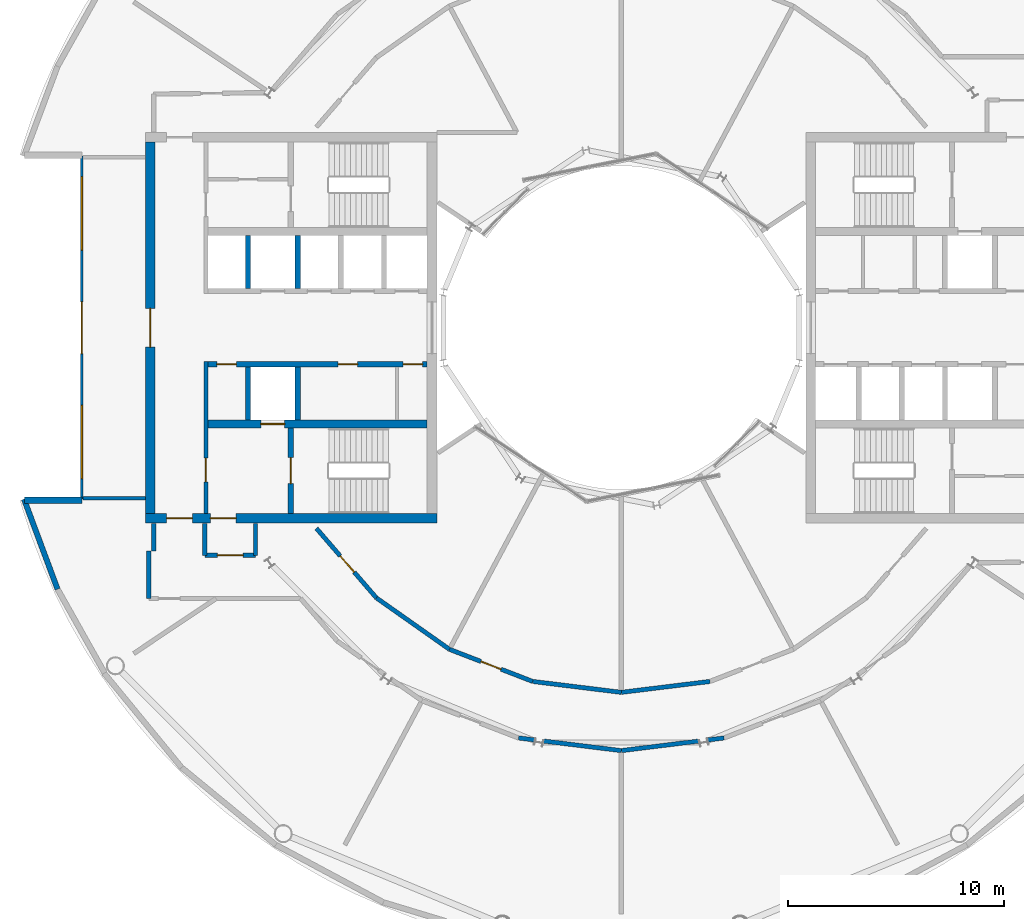
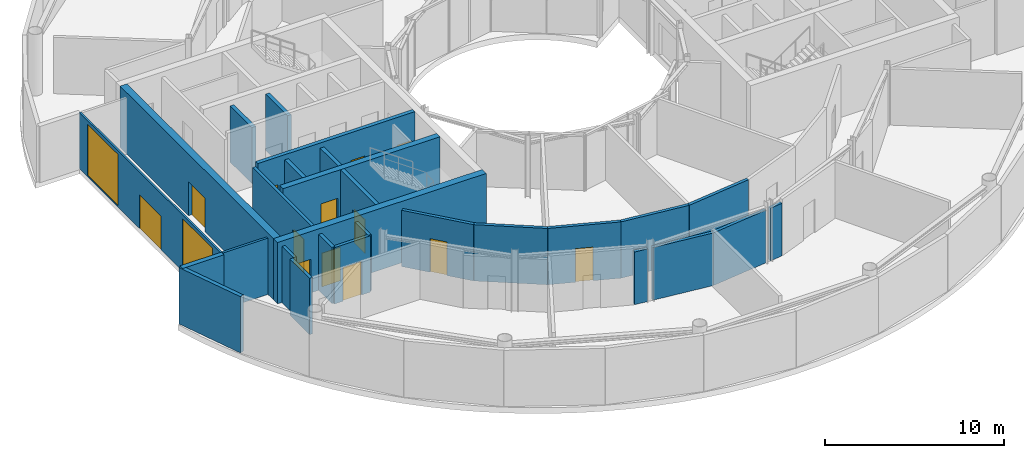
# One storey, part 12 of 19: 28 walls, 13 doors, 2 windows, 15 openings.
"""IFC4 building model written with IfcOpenShell, lengths in metres."""

from ifc_helpers import new_model, si_unit, direction, frame, frame_2d, origin, place, context, subcontext, project, spatial, rectangle, extrude, material, layer, layer_set, type_object, element, fill, save


model = new_model("IFC4")

# Units and contexts
model_context = context("Model", 3, precision=1e-05, world=origin(), true_north=direction((0.0, 1.0)))
body_context = subcontext(model_context, "Body", "Model", "MODEL_VIEW")
ifc_project = project(units=[si_unit("LENGTHUNIT", "METRE"), si_unit("AREAUNIT", "SQUARE_METRE"), si_unit("VOLUMEUNIT", "CUBIC_METRE"), si_unit("PLANEANGLEUNIT", "RADIAN"), si_unit("MASSUNIT", "GRAM", prefix="KILO")], contexts=[model_context])

# Site, building, storey
site_placement = place(None, origin())
site = spatial("IfcSite", under=ifc_project, at=site_placement, CompositionType="ELEMENT")
building_placement = place(site_placement, origin())
building = spatial("IfcBuilding", under=site, at=building_placement, Name="Maasbend Ring Residences", CompositionType="ELEMENT")
storey_placement = place(building_placement, frame((0.0, 0.0, 186.0)))
storey = spatial("IfcBuildingStorey", under=building, at=storey_placement, Name="L53", CompositionType="ELEMENT", Elevation=186.0)

# Walls
ifc_material_1 = material(Name="Concrete C30/37", Category="concrete")
ifc_layer_1 = layer(ifc_material_1, 0.199951171875)
ifc_layer_set_1 = layer_set([ifc_layer_1], Name="Concrete C30/37")
wall_type_1 = type_object("IfcWallType", Name="COMPARTMENT WALL 200 CONCRETE", PredefinedType="PARTITIONING", material=ifc_layer_set_1)
wall_1_placement = place(storey_placement, frame((-4.761962890625, -19.012939453125, 0.0), z_axis=(0.0, 0.0, 1.0), x_axis=(0.992392935119, -0.123110772587, 0.0)))
element("IfcWall", 1, at=wall_1_placement, inside=storey, type_object=wall_type_1, Name="U-L53-w008", PredefinedType="PARTITIONING", context=body_context, shape_type="SweptSolid", body=[
    extrude(rectangle(XDim=0.81298828125, YDim=0.199951171875, at=frame_2d((0.406494140625, 0.0))), origin(), (0.0, 0.0, 1.0), 3.60009765625),
])
for number, where, z_axis, x_axis, name in (
    (2, (-3.656005859375, -19.14892578125, 0.0), (0.0, 0.0, 1.0), (0.992471400802, -0.122476604253, 0.0), "U-L53-w009"),
    (3, (0.0, -19.60009765625, 0.0), (0.0, 0.0, 1.0), (0.992471400802, 0.122476604253, 0.0), "U-L53-w010"),
):
    element("IfcWall", number, at=place(storey_placement, frame(where, z_axis=z_axis, x_axis=x_axis)), inside=storey, type_object=wall_type_1, Name=name, PredefinedType="PARTITIONING", context=body_context, shape_type="SweptSolid", body=[
        extrude(rectangle(XDim=3.683837890625, YDim=0.199951171875, at=frame_2d((1.841796875, 0.0))), origin(), (0.0, 0.0, 1.0), 3.60009765625),
    ])
wall_2_placement = place(storey_placement, frame((3.955078125, -19.113037109375, 0.0), z_axis=(0.0, 0.0, 1.0), x_axis=(0.992392935119, 0.123110772587, 0.0)))
element("IfcWall", 4, at=wall_2_placement, inside=storey, type_object=wall_type_1, Name="U-L53-w011", PredefinedType="PARTITIONING", context=body_context, shape_type="SweptSolid", body=[
    extrude(rectangle(XDim=0.81298828125, YDim=0.199951171875, at=frame_2d((0.406494140625, 0.0))), origin(), (0.0, 0.0, 1.0), 3.60009765625),
])

# Wall, opening, door
wall_3_placement = place(storey_placement, frame((-14.12890625, -9.300048828125, 0.0), z_axis=(0.0, 0.0, 1.0), x_axis=(0.65324486504, -0.757146713853, 0.0)))
wall_3 = element("IfcWall", 5, at=wall_3_placement, inside=storey, type_object=wall_type_1, Name="U-L53-w018", PredefinedType="PARTITIONING", context=body_context, shape_type="SweptSolid", body=[
    extrude(rectangle(XDim=4.25537109375, YDim=0.199951171875, at=frame_2d((2.127685546875, 0.0))), origin(), (0.0, 0.0, 1.0), 3.85009765625),
])
opening_1_placement = place(wall_3_placement, frame((1.68701171875, 0.0, 0.0)))
opening_1 = element("IfcOpeningElement", 6, at=opening_1_placement, cuts=wall_3, Name="Opening D-5315", PredefinedType="OPENING", context=body_context, shape_type="SweptSolid", body=[
    extrude(rectangle(XDim=1.0, YDim=2.300048828125, at=frame_2d((0.5, 1.14990234375))), frame((0.0, 0.10986328125, 0.0), z_axis=(0.0, -1.0, 0.0), x_axis=(1.0, 0.0, 0.0)), (0.0, 0.0, 1.0), 0.219970703125),
])
ifc_material_2 = material(Name="Steel, fire-rated, painted", Category="steel")
door_type_1 = type_object("IfcDoorType", Name="PLANT DOOR 1000 X 2300 FIRE-RATED", OperationType="NOTDEFINED", PredefinedType="DOOR", material=ifc_material_2)
door_1_placement = place(opening_1_placement, origin())
door_1 = element("IfcDoor", 7, at=door_1_placement, inside=storey, type_object=door_type_1, Name="D-5315", OperationType="SINGLE_SWING_LEFT", OverallHeight=2.300048828125, OverallWidth=1.0, PredefinedType="DOOR", context=body_context, shape_type="SweptSolid", body=[
    extrude(rectangle(XDim=1.0, YDim=2.300048828125, at=frame_2d((0.5, 1.14990234375))), frame((0.0, 0.02490234375, 0.0), z_axis=(0.0, -1.0, 0.0), x_axis=(1.0, 0.0, 0.0)), (0.0, 0.0, 1.0), 0.050048828125),
])
fill(opening_1, door_1)

# Wall
wall_4_placement = place(storey_placement, frame((-11.34912109375, -12.52197265625, 0.0), z_axis=(0.0, 0.0, 1.0), x_axis=(0.817567680547, -0.575832517079, 0.0)))
element("IfcWall", 8, at=wall_4_placement, inside=storey, type_object=wall_type_1, Name="U-L53-w019", PredefinedType="PARTITIONING", context=body_context, shape_type="SweptSolid", body=[
    extrude(rectangle(XDim=4.13671875, YDim=0.199951171875, at=frame_2d((2.068359375, 0.0))), origin(), (0.0, 0.0, 1.0), 3.85009765625),
])

# Wall, opening, door
wall_5_placement = place(storey_placement, frame((-7.967041015625, -14.904052734375, 0.0), z_axis=(0.0, 0.0, 1.0), x_axis=(0.932943640288, -0.360022449363, 0.0)))
wall_5 = element("IfcWall", 9, at=wall_5_placement, inside=storey, type_object=wall_type_1, Name="U-L53-w020", PredefinedType="PARTITIONING", context=body_context, shape_type="SweptSolid", body=[
    extrude(rectangle(XDim=4.138671875, YDim=0.199951171875, at=frame_2d((2.0693359375, 0.0))), origin(), (0.0, 0.0, 1.0), 3.85009765625),
])
opening_2_placement = place(wall_5_placement, frame((1.569091796875, 0.0, 0.0)))
opening_2 = element("IfcOpeningElement", 10, at=opening_2_placement, cuts=wall_5, Name="Opening D-5316", PredefinedType="OPENING", context=body_context, shape_type="SweptSolid", body=[
    extrude(rectangle(XDim=1.0, YDim=2.300048828125, at=frame_2d((0.5, 1.14990234375))), frame((0.0, 0.10986328125, 0.0), z_axis=(0.0, -1.0, 0.0), x_axis=(1.0, 0.0, 0.0)), (0.0, 0.0, 1.0), 0.219970703125),
])
door_2_placement = place(opening_2_placement, origin())
door_2 = element("IfcDoor", 11, at=door_2_placement, inside=storey, type_object=door_type_1, Name="D-5316", OperationType="SINGLE_SWING_LEFT", OverallHeight=2.300048828125, OverallWidth=1.0, PredefinedType="DOOR", context=body_context, shape_type="SweptSolid", body=[
    extrude(rectangle(XDim=1.0, YDim=2.300048828125, at=frame_2d((0.5, 1.14990234375))), frame((0.0, 0.02490234375, 0.0), z_axis=(0.0, -1.0, 0.0), x_axis=(1.0, 0.0, 0.0)), (0.0, 0.0, 1.0), 0.050048828125),
])
fill(opening_2, door_2)

# Walls
for number, where, z_axis, x_axis, name in (
    (12, (-4.10595703125, -16.39404296875, 0.0), (0.0, 0.0, 1.0), (0.992496033272, -0.122276833211, 0.0), "U-L53-w021"),
    (13, (0.0, -16.89990234375, 0.0), (0.0, 0.0, 1.0), (0.992496033272, 0.122276833211, 0.0), "U-L53-w022"),
):
    element("IfcWall", number, at=place(storey_placement, frame(where, z_axis=z_axis, x_axis=x_axis)), inside=storey, type_object=wall_type_1, Name=name, PredefinedType="PARTITIONING", context=body_context, shape_type="SweptSolid", body=[
        extrude(rectangle(XDim=4.136962890625, YDim=0.199951171875, at=frame_2d((2.068359375, 0.0))), origin(), (0.0, 0.0, 1.0), 3.85009765625),
    ])

# Wall, opening, door
wall_6_placement = place(storey_placement, frame((-19.300048828125, -10.550048828125, 0.0), z_axis=(0.0, 0.0, 1.0), x_axis=(1.0, 0.0, 0.0)))
wall_6 = element("IfcWall", 14, at=wall_6_placement, inside=storey, type_object=wall_type_1, Name="U-L53-w028", PredefinedType="PARTITIONING", context=body_context, shape_type="SweptSolid", body=[
    extrude(rectangle(XDim=2.35009765625, YDim=0.199951171875, at=frame_2d((1.175048828125, 0.0))), origin(), (0.0, 0.0, 1.0), 3.85009765625),
])
opening_3_placement = place(wall_6_placement, frame((0.574951171875, 0.0, 0.0)))
opening_3 = element("IfcOpeningElement", 15, at=opening_3_placement, cuts=wall_6, Name="Opening D-5302", PredefinedType="OPENING", context=body_context, shape_type="SweptSolid", body=[
    extrude(rectangle(XDim=1.199951171875, YDim=2.300048828125, at=frame_2d((0.60009765625, 1.14990234375))), frame((0.0, 0.10986328125, 0.0), z_axis=(0.0, -1.0, 0.0), x_axis=(1.0, 0.0, 0.0)), (0.0, 0.0, 1.0), 0.219970703125),
])
ifc_material_3 = material(Name="Steel, fire-rated, painted", Category="steel")
door_type_2 = type_object("IfcDoorType", Name="REFUGE DOOR 1200 X 2300 FIRE-RATED", OperationType="NOTDEFINED", PredefinedType="DOOR", material=ifc_material_3)
door_3_placement = place(opening_3_placement, origin())
door_3 = element("IfcDoor", 16, at=door_3_placement, inside=storey, type_object=door_type_2, Name="D-5302", OperationType="SINGLE_SWING_LEFT", OverallHeight=2.300048828125, OverallWidth=1.199951171875, PredefinedType="DOOR", context=body_context, shape_type="SweptSolid", body=[
    extrude(rectangle(XDim=1.199951171875, YDim=2.300048828125, at=frame_2d((0.60009765625, 1.14990234375))), frame((0.0, 0.02490234375, 0.0), z_axis=(0.0, -1.0, 0.0), x_axis=(1.0, 0.0, 0.0)), (0.0, 0.0, 1.0), 0.050048828125),
])
fill(opening_3, door_3)

# Walls
for number, where, z_axis, x_axis, name in (
    (17, (-16.949951171875, -10.550048828125, 0.0), (0.0, 0.0, 1.0), (0.0, 1.0, 0.0), "U-L53-w061"),
    (18, (-19.300048828125, -10.550048828125, 0.0), (0.0, 0.0, 1.0), (0.0, 1.0, 0.0), "U-L53-w062"),
):
    element("IfcWall", number, at=place(storey_placement, frame(where, z_axis=z_axis, x_axis=x_axis)), inside=storey, type_object=wall_type_1, Name=name, PredefinedType="PARTITIONING", context=body_context, shape_type="SweptSolid", body=[
        extrude(rectangle(XDim=1.47998046875, YDim=0.199951171875, at=frame_2d((0.739990234375, 0.0))), origin(), (0.0, 0.0, 1.0), 3.85009765625),
    ])
wall_7_placement = place(storey_placement, frame((-21.675048828125, -10.35009765625, 0.0), z_axis=(0.0, 0.0, 1.0), x_axis=(0.0, 1.0, 0.0)))
element("IfcWall", 19, at=wall_7_placement, inside=storey, type_object=wall_type_1, Name="U-L53-w075", PredefinedType="PARTITIONING", context=body_context, shape_type="SweptSolid", body=[
    extrude(rectangle(XDim=1.280029296875, YDim=0.199951171875, at=frame_2d((0.64013671875, 0.0))), origin(), (0.0, 0.0, 1.0), 3.85009765625),
])
wall_8_placement = place(storey_placement, frame((-21.89990234375, -12.550048828125, 0.0), z_axis=(0.0, 0.0, 1.0), x_axis=(0.0, 1.0, 0.0)))
element("IfcWall", 20, at=wall_8_placement, inside=storey, type_object=wall_type_1, Name="U-L53-w077", PredefinedType="PARTITIONING", context=body_context, shape_type="SweptSolid", body=[
    extrude(rectangle(XDim=2.199951171875, YDim=0.199951171875, at=frame_2d((1.10009765625, 0.0))), origin(), (0.0, 0.0, 1.0), 3.85009765625),
])

# Wall, openings, doors
ifc_material_4 = material(Name="Concrete C50/60", Category="concrete")
ifc_layer_2 = layer(ifc_material_4, 0.25)
ifc_layer_set_2 = layer_set([ifc_layer_2], Name="Concrete C50/60")
wall_type_2 = type_object("IfcWallType", Name="CORE WALL 250 C50/60", PredefinedType="SHEAR", material=ifc_layer_set_2)
wall_9_placement = place(storey_placement, frame((-9.0, -1.699951171875, 0.0), z_axis=(0.0, 0.0, 1.0), x_axis=(-1.0, 0.0, 0.0)))
wall_9 = element("IfcWall", 21, at=wall_9_placement, inside=storey, type_object=wall_type_2, Name="L53 core W wall SPN", PredefinedType="SHEAR", context=body_context, shape_type="SweptSolid", body=[
    extrude(rectangle(XDim=10.14990234375, YDim=0.25, at=frame_2d((5.074951171875, 0.0))), origin(), (0.0, 0.0, 1.0), 4.199951171875),
])
opening_4_placement = place(wall_9_placement, frame((0.21240234375, 0.0, 0.0)))
opening_4 = element("IfcOpeningElement", 22, at=opening_4_placement, cuts=wall_9, Name="Opening D-W5306", PredefinedType="OPENING", context=body_context, shape_type="SweptSolid", body=[
    extrude(rectangle(XDim=0.89990234375, YDim=2.300048828125, at=frame_2d((0.449951171875, 1.14990234375))), frame((0.0, 0.135009765625, 0.0), z_axis=(0.0, -1.0, 0.0), x_axis=(1.0, 0.0, 0.0)), (0.0, 0.0, 1.0), 0.27001953125),
])
opening_5_placement = place(wall_9_placement, frame((3.22509765625, 0.0, 0.0)))
opening_5 = element("IfcOpeningElement", 23, at=opening_5_placement, cuts=wall_9, Name="Opening D-W5307", PredefinedType="OPENING", context=body_context, shape_type="SweptSolid", body=[
    extrude(rectangle(XDim=0.89990234375, YDim=2.300048828125, at=frame_2d((0.449951171875, 1.14990234375))), frame((0.0, 0.135009765625, 0.0), z_axis=(0.0, -1.0, 0.0), x_axis=(1.0, 0.0, 0.0)), (0.0, 0.0, 1.0), 0.27001953125),
])
opening_6_placement = place(wall_9_placement, frame((8.83740234375, 0.0, 0.0)))
opening_6 = element("IfcOpeningElement", 24, at=opening_6_placement, cuts=wall_9, Name="Opening D-W5308", PredefinedType="OPENING", context=body_context, shape_type="SweptSolid", body=[
    extrude(rectangle(XDim=0.89990234375, YDim=2.300048828125, at=frame_2d((0.449951171875, 1.14990234375))), frame((0.0, 0.135009765625, 0.0), z_axis=(0.0, -1.0, 0.0), x_axis=(1.0, 0.0, 0.0)), (0.0, 0.0, 1.0), 0.27001953125),
])
ifc_material_5 = material(Name="Steel, powder coated", Category="steel")
door_type_3 = type_object("IfcDoorType", Name="ROOM DOOR 900 X 2300 FD30S", OperationType="NOTDEFINED", PredefinedType="DOOR", material=ifc_material_5)
door_4_placement = place(opening_4_placement, origin())
door_4 = element("IfcDoor", 25, at=door_4_placement, inside=storey, type_object=door_type_3, Name="Room door L53", OperationType="SINGLE_SWING_RIGHT", OverallHeight=2.300048828125, OverallWidth=0.89990234375, PredefinedType="DOOR", context=body_context, shape_type="SweptSolid", body=[
    extrude(rectangle(XDim=0.89990234375, YDim=2.300048828125, at=frame_2d((0.449951171875, 1.14990234375))), frame((0.0, 0.02490234375, 0.0), z_axis=(0.0, -1.0, 0.0), x_axis=(1.0, 0.0, 0.0)), (0.0, 0.0, 1.0), 0.050048828125),
])
fill(opening_4, door_4)
door_5_placement = place(opening_5_placement, origin())
door_5 = element("IfcDoor", 26, at=door_5_placement, inside=storey, type_object=door_type_3, Name="Room door L53", OperationType="SINGLE_SWING_RIGHT", OverallHeight=2.300048828125, OverallWidth=0.89990234375, PredefinedType="DOOR", context=body_context, shape_type="SweptSolid", body=[
    extrude(rectangle(XDim=0.89990234375, YDim=2.300048828125, at=frame_2d((0.449951171875, 1.14990234375))), frame((0.0, 0.02490234375, 0.0), z_axis=(0.0, -1.0, 0.0), x_axis=(1.0, 0.0, 0.0)), (0.0, 0.0, 1.0), 0.050048828125),
])
fill(opening_5, door_5)
door_6_placement = place(opening_6_placement, origin())
door_6 = element("IfcDoor", 27, at=door_6_placement, inside=storey, type_object=door_type_3, Name="Room door L53", OperationType="SINGLE_SWING_LEFT", OverallHeight=2.300048828125, OverallWidth=0.89990234375, PredefinedType="DOOR", context=body_context, shape_type="SweptSolid", body=[
    extrude(rectangle(XDim=0.89990234375, YDim=2.300048828125, at=frame_2d((0.449951171875, 1.14990234375))), frame((0.0, 0.02490234375, 0.0), z_axis=(0.0, -1.0, 0.0), x_axis=(1.0, 0.0, 0.0)), (0.0, 0.0, 1.0), 0.050048828125),
])
fill(opening_6, door_6)

# Wall, opening, door
wall_10_placement = place(storey_placement, frame((-15.324951171875, -4.64990234375, 0.0), z_axis=(0.0, 0.0, 1.0), x_axis=(0.0, -1.0, 0.0)))
wall_10 = element("IfcWall", 28, at=wall_10_placement, inside=storey, type_object=wall_type_2, Name="L53 core W wall STEN", PredefinedType="SHEAR", context=body_context, shape_type="SweptSolid", body=[
    extrude(rectangle(XDim=3.9501953125, YDim=0.25, at=frame_2d((1.97509765625, 0.0))), origin(), (0.0, 0.0, 1.0), 4.199951171875),
])
opening_7_placement = place(wall_10_placement, frame((1.375, 0.0, 0.0)))
opening_7 = element("IfcOpeningElement", 29, at=opening_7_placement, cuts=wall_10, Name="Opening D-W5310", PredefinedType="OPENING", context=body_context, shape_type="SweptSolid", body=[
    extrude(rectangle(XDim=1.199951171875, YDim=2.300048828125, at=frame_2d((0.60009765625, 1.14990234375))), frame((0.0, 0.135009765625, 0.0), z_axis=(0.0, -1.0, 0.0), x_axis=(1.0, 0.0, 0.0)), (0.0, 0.0, 1.0), 0.27001953125),
])
ifc_material_6 = material(Name="Steel, powder coated", Category="steel")
door_type_4 = type_object("IfcDoorType", Name="STAIR DOOR 1200 X 2300 FD60", OperationType="NOTDEFINED", PredefinedType="DOOR", material=ifc_material_6)
door_7_placement = place(opening_7_placement, origin())
door_7 = element("IfcDoor", 30, at=door_7_placement, inside=storey, type_object=door_type_4, Name="Stair door ST-W L53", OperationType="SINGLE_SWING_LEFT", OverallHeight=2.300048828125, OverallWidth=1.199951171875, PredefinedType="DOOR", context=body_context, shape_type="SweptSolid", body=[
    extrude(rectangle(XDim=1.199951171875, YDim=2.300048828125, at=frame_2d((0.60009765625, 1.14990234375))), frame((0.0, 0.02490234375, 0.0), z_axis=(0.0, -1.0, 0.0), x_axis=(1.0, 0.0, 0.0)), (0.0, 0.0, 1.0), 0.050048828125),
])
fill(opening_7, door_7)

ifc_material_7 = material(Name="Concrete C50/60", Category="concrete")
ifc_layer_3 = layer(ifc_material_7, 0.375)
ifc_layer_set_3 = layer_set([ifc_layer_3], Name="Concrete C50/60")
wall_type_3 = type_object("IfcWallType", Name="CORE WALL 375 C50/60", PredefinedType="SHEAR", material=ifc_layer_set_3)
wall_11_placement = place(storey_placement, frame((-9.0, -4.46240234375, 0.0), z_axis=(0.0, 0.0, 1.0), x_axis=(-1.0, 0.0, 0.0)))
wall_11 = element("IfcWall", 31, at=wall_11_placement, inside=storey, type_object=wall_type_3, Name="L53 core W wall BN", PredefinedType="SHEAR", context=body_context, shape_type="SweptSolid", body=[
    extrude(rectangle(XDim=10.14990234375, YDim=0.375, at=frame_2d((5.074951171875, 0.0))), origin(), (0.0, 0.0, 1.0), 4.199951171875),
])
opening_8_placement = place(wall_11_placement, frame((6.60009765625, 0.0, 0.0)))
opening_8 = element("IfcOpeningElement", 32, at=opening_8_placement, cuts=wall_11, Name="Opening LD-W5301", PredefinedType="OPENING", context=body_context, shape_type="SweptSolid", body=[
    extrude(rectangle(XDim=1.10009765625, YDim=2.300048828125, at=frame_2d((0.550048828125, 1.14990234375))), frame((0.0, 0.197509765625, 0.0), z_axis=(0.0, -1.0, 0.0), x_axis=(1.0, 0.0, 0.0)), (0.0, 0.0, 1.0), 0.39501953125),
])
ifc_material_8 = material(Name="Stainless steel 316", Category="steel")
door_type_5 = type_object("IfcDoorType", Name="LANDING DOOR 1100 X 2300 FD60", OperationType="DOUBLE_DOOR_SLIDING", PredefinedType="DOOR", material=ifc_material_8)
door_8_placement = place(opening_8_placement, origin())
door_8 = element("IfcDoor", 33, at=door_8_placement, inside=storey, type_object=door_type_5, Name="Landing door FF-W L53", OperationType="DOUBLE_DOOR_SLIDING", OverallHeight=2.300048828125, OverallWidth=1.10009765625, PredefinedType="DOOR", context=body_context, shape_type="SweptSolid", body=[
    extrude(rectangle(XDim=1.10009765625, YDim=2.300048828125, at=frame_2d((0.550048828125, 1.14990234375))), frame((0.0, 0.02490234375, 0.0), z_axis=(0.0, -1.0, 0.0), x_axis=(1.0, 0.0, 0.0)), (0.0, 0.0, 1.0), 0.050048828125),
])
fill(opening_8, door_8)

# Wall, openings, doors
ifc_material_9 = material(Name="Concrete C50/60", Category="concrete")
ifc_layer_4 = layer(ifc_material_9, 0.449951171875)
ifc_layer_set_4 = layer_set([ifc_layer_4], Name="Concrete C50/60")
wall_type_4 = type_object("IfcWallType", Name="CORE WALL 450 C50/60", PredefinedType="SHEAR", material=ifc_layer_set_4)
wall_12_placement = place(storey_placement, frame((-22.050048828125, -8.824951171875, 0.0), z_axis=(0.0, 0.0, 1.0), x_axis=(1.0, 0.0, 0.0)))
wall_12 = element("IfcWall", 34, at=wall_12_placement, inside=storey, type_object=wall_type_4, Name="L53 core W wall PN", PredefinedType="SHEAR", context=body_context, shape_type="SweptSolid", body=[
    extrude(rectangle(XDim=13.5, YDim=0.449951171875, at=frame_2d((6.75, 0.0))), origin(), (0.0, 0.0, 1.0), 4.199951171875),
])
opening_9_placement = place(wall_12_placement, frame((0.97509765625, 0.0, 0.0)))
opening_9 = element("IfcOpeningElement", 35, at=opening_9_placement, cuts=wall_12, Name="Opening D-W5314", PredefinedType="OPENING", context=body_context, shape_type="SweptSolid", body=[
    extrude(rectangle(XDim=1.199951171875, YDim=2.300048828125, at=frame_2d((0.60009765625, 1.14990234375))), frame((0.0, 0.23486328125, 0.0), z_axis=(0.0, -1.0, 0.0), x_axis=(1.0, 0.0, 0.0)), (0.0, 0.0, 1.0), 0.469970703125),
])
opening_10_placement = place(wall_12_placement, frame((3.0, 0.0, 0.0)))
opening_10 = element("IfcOpeningElement", 36, at=opening_10_placement, cuts=wall_12, Name="Opening D-W5316", PredefinedType="OPENING", context=body_context, shape_type="SweptSolid", body=[
    extrude(rectangle(XDim=1.199951171875, YDim=2.300048828125, at=frame_2d((0.60009765625, 1.14990234375))), frame((0.0, 0.23486328125, 0.0), z_axis=(0.0, -1.0, 0.0), x_axis=(1.0, 0.0, 0.0)), (0.0, 0.0, 1.0), 0.469970703125),
])
ifc_material_10 = material(Name="Steel, powder coated", Category="steel")
door_type_6 = type_object("IfcDoorType", Name="CORRIDOR DOOR 1200 X 2300 FD30S", OperationType="NOTDEFINED", PredefinedType="DOOR", material=ifc_material_10)
door_9_placement = place(opening_9_placement, origin())
door_9 = element("IfcDoor", 37, at=door_9_placement, inside=storey, type_object=door_type_6, Name="Corridor door L53", OperationType="SINGLE_SWING_RIGHT", OverallHeight=2.300048828125, OverallWidth=1.199951171875, PredefinedType="DOOR", context=body_context, shape_type="SweptSolid", body=[
    extrude(rectangle(XDim=1.199951171875, YDim=2.300048828125, at=frame_2d((0.60009765625, 1.14990234375))), frame((0.0, 0.02490234375, 0.0), z_axis=(0.0, -1.0, 0.0), x_axis=(1.0, 0.0, 0.0)), (0.0, 0.0, 1.0), 0.050048828125),
])
fill(opening_9, door_9)
ifc_material_11 = material(Name="Steel, powder coated", Category="steel")
door_type_7 = type_object("IfcDoorType", Name="LOBBY DOOR 1200 X 2300 FD60", OperationType="NOTDEFINED", PredefinedType="DOOR", material=ifc_material_11)
door_10_placement = place(opening_10_placement, origin())
door_10 = element("IfcDoor", 38, at=door_10_placement, inside=storey, type_object=door_type_7, Name="Lobby door L53", OperationType="SINGLE_SWING_RIGHT", OverallHeight=2.300048828125, OverallWidth=1.199951171875, PredefinedType="DOOR", context=body_context, shape_type="SweptSolid", body=[
    extrude(rectangle(XDim=1.199951171875, YDim=2.300048828125, at=frame_2d((0.60009765625, 1.14990234375))), frame((0.0, 0.02490234375, 0.0), z_axis=(0.0, -1.0, 0.0), x_axis=(1.0, 0.0, 0.0)), (0.0, 0.0, 1.0), 0.050048828125),
])
fill(opening_10, door_10)

# Wall, opening, door
wall_13_placement = place(storey_placement, frame((-21.824951171875, -8.60009765625, 0.0), z_axis=(0.0, 0.0, 1.0), x_axis=(0.0, 1.0, 0.0)))
wall_13 = element("IfcWall", 39, at=wall_13_placement, inside=storey, type_object=wall_type_4, Name="L53 core W wall POUT", PredefinedType="SHEAR", context=body_context, shape_type="SweptSolid", body=[
    extrude(rectangle(XDim=17.2001953125, YDim=0.449951171875, at=frame_2d((8.60009765625, 0.0))), origin(), (0.0, 0.0, 1.0), 4.199951171875),
])
opening_11_placement = place(wall_13_placement, frame((7.699951171875, 0.0, 0.0)))
opening_11 = element("IfcOpeningElement", 40, at=opening_11_placement, cuts=wall_13, Name="Opening D-W5317", PredefinedType="OPENING", context=body_context, shape_type="SweptSolid", body=[
    extrude(rectangle(XDim=1.800048828125, YDim=2.300048828125, at=frame_2d((0.89990234375, 1.14990234375))), frame((0.0, 0.23486328125, 0.0), z_axis=(0.0, -1.0, 0.0), x_axis=(1.0, 0.0, 0.0)), (0.0, 0.0, 1.0), 0.469970703125),
])
ifc_material_12 = material(Name="Aluminium frame, clear glass", Category="aluminium")
door_type_8 = type_object("IfcDoorType", Name="ENTRANCE DOOR 1800 X 2300 FD60", OperationType="NOTDEFINED", PredefinedType="DOOR", material=ifc_material_12)
door_11_placement = place(opening_11_placement, origin())
door_11 = element("IfcDoor", 41, at=door_11_placement, inside=storey, type_object=door_type_8, Name="Lobby glazed door L53", OperationType="SINGLE_SWING_LEFT", OverallHeight=2.300048828125, OverallWidth=1.800048828125, PredefinedType="DOOR", context=body_context, shape_type="SweptSolid", body=[
    extrude(rectangle(XDim=1.800048828125, YDim=2.300048828125, at=frame_2d((0.89990234375, 1.14990234375))), frame((0.0, 0.02490234375, 0.0), z_axis=(0.0, -1.0, 0.0), x_axis=(1.0, 0.0, 0.0)), (0.0, 0.0, 1.0), 0.050048828125),
])
fill(opening_11, door_11)

# Walls
ifc_material_13 = material(Name="Louvred aluminium panel", Category="aluminium")
ifc_layer_5 = layer(ifc_material_13, 0.25)
ifc_layer_set_5 = layer_set([ifc_layer_5], Name="EW-LV")
wall_type_5 = type_object("IfcWallType", Name="EW-LV", PredefinedType="SOLIDWALL", material=ifc_layer_set_5)
wall_14_placement = place(storey_placement, frame((-27.681884765625, -7.945068359375, 0.0), z_axis=(0.0, 0.0, 1.0), x_axis=(0.349247811493, -0.937030397675, 0.0)))
element("IfcWall", 42, at=wall_14_placement, inside=storey, type_object=wall_type_5, Name="Horn wall 3.1", PredefinedType="SOLIDWALL", context=body_context, shape_type="SweptSolid", body=[
    extrude(rectangle(XDim=4.4521484375, YDim=0.25, at=frame_2d((2.22607421875, 0.0))), origin(), (0.0, 0.0, 1.0), 3.85009765625),
])
ifc_material_14 = material(Name="Aluminium clad insulated panel", Category="aluminium")
ifc_layer_6 = layer(ifc_material_14, 0.300048828125)
ifc_layer_set_6 = layer_set([ifc_layer_6], Name="EW-RET")
wall_type_6 = type_object("IfcWallType", Name="EW-RET", PredefinedType="SOLIDWALL", material=ifc_layer_set_6)
wall_15_placement = place(storey_placement, frame((-25.0, -8.0, 0.0), z_axis=(0.0, 0.0, 1.0), x_axis=(-1.0, 0.0, 0.0)))
element("IfcWall", 43, at=wall_15_placement, inside=storey, type_object=wall_type_6, Name="Notch return wall west south", PredefinedType="SOLIDWALL", context=body_context, shape_type="SweptSolid", body=[
    extrude(rectangle(XDim=2.6669921875, YDim=0.300048828125, at=frame_2d((1.33349609375, 0.0))), origin(), (0.0, 0.0, 1.0), 3.85009765625),
])

# Wall, openings, door, windows
ifc_material_15 = material(Name="Aluminium frame and clear glass", Category="aluminium")
ifc_layer_7 = layer(ifc_material_15, 0.1201171875)
ifc_layer_set_7 = layer_set([ifc_layer_7], Name="GLAZED SCREEN WALL 120 EI 60")
wall_type_7 = type_object("IfcWallType", Name="GLAZED SCREEN WALL 120 EI 60", PredefinedType="PARTITIONING", material=ifc_layer_set_7)
wall_16_placement = place(storey_placement, frame((-25.0, -7.949951171875, 0.0), z_axis=(0.0, 0.0, 1.0), x_axis=(0.0, 1.0, 0.0)))
wall_16 = element("IfcWall", 44, at=wall_16_placement, inside=storey, type_object=wall_type_7, Name="L53 core W wall FACE", PredefinedType="PARTITIONING", context=body_context, shape_type="SweptSolid", body=[
    extrude(rectangle(XDim=15.89990234375, YDim=0.1201171875, at=frame_2d((7.949951171875, 0.0))), origin(), (0.0, 0.0, 1.0), 3.85009765625),
])
opening_12_placement = place(wall_16_placement, frame((6.75, 0.0, 0.0)))
opening_12 = element("IfcOpeningElement", 45, at=opening_12_placement, cuts=wall_16, Name="Opening D-W5318", PredefinedType="OPENING", context=body_context, shape_type="SweptSolid", body=[
    extrude(rectangle(XDim=2.39990234375, YDim=2.300048828125, at=frame_2d((1.199951171875, 1.14990234375))), frame((0.0, 0.070068359375, 0.0), z_axis=(0.0, -1.0, 0.0), x_axis=(1.0, 0.0, 0.0)), (0.0, 0.0, 1.0), 0.14013671875),
])
opening_13_placement = place(wall_16_placement, frame((11.550048828125, 0.0, 0.10009765625)))
opening_13 = element("IfcOpeningElement", 46, at=opening_13_placement, cuts=wall_16, Name="Opening W-W5302", PredefinedType="OPENING", context=body_context, shape_type="SweptSolid", body=[
    extrude(rectangle(XDim=3.39990234375, YDim=3.5, at=frame_2d((1.699951171875, 1.75))), frame((0.0, 0.070068359375, 0.0), z_axis=(0.0, -1.0, 0.0), x_axis=(1.0, 0.0, 0.0)), (0.0, 0.0, 1.0), 0.14013671875),
])
opening_14_placement = place(wall_16_placement, frame((0.949951171875, 0.0, 0.10009765625)))
opening_14 = element("IfcOpeningElement", 47, at=opening_14_placement, cuts=wall_16, Name="Opening W-W5303", PredefinedType="OPENING", context=body_context, shape_type="SweptSolid", body=[
    extrude(rectangle(XDim=3.39990234375, YDim=3.5, at=frame_2d((1.699951171875, 1.75))), frame((0.0, 0.070068359375, 0.0), z_axis=(0.0, -1.0, 0.0), x_axis=(1.0, 0.0, 0.0)), (0.0, 0.0, 1.0), 0.14013671875),
])
ifc_material_16 = material(Name="Aluminium frame, clear glass", Category="aluminium")
door_type_9 = type_object("IfcDoorType", Name="ENTRANCE DOOR 2400 X 2300 FD60", OperationType="NOTDEFINED", PredefinedType="DOOR", material=ifc_material_16)
door_12_placement = place(opening_12_placement, origin())
door_12 = element("IfcDoor", 48, at=door_12_placement, inside=storey, type_object=door_type_9, Name="Lobby glazed door L53", OperationType="SINGLE_SWING_LEFT", OverallHeight=2.300048828125, OverallWidth=2.39990234375, PredefinedType="DOOR", context=body_context, shape_type="SweptSolid", body=[
    extrude(rectangle(XDim=2.39990234375, YDim=2.300048828125, at=frame_2d((1.199951171875, 1.14990234375))), frame((0.0, 0.02490234375, 0.0), z_axis=(0.0, -1.0, 0.0), x_axis=(1.0, 0.0, 0.0)), (0.0, 0.0, 1.0), 0.050048828125),
])
fill(opening_12, door_12)
ifc_material_17 = material(Name="Aluminium frame and clear glass", Category="aluminium")
window_type = type_object("IfcWindowType", Name="FIXED WINDOW 3400 X 3500", PartitioningType="SINGLE_PANEL", PredefinedType="WINDOW", material=ifc_material_17)
window_1_placement = place(opening_13_placement, origin())
window_1 = element("IfcWindow", 49, at=window_1_placement, inside=storey, type_object=window_type, Name="Lobby window L53", OverallHeight=3.5, OverallWidth=3.39990234375, PartitioningType="SINGLE_PANEL", PredefinedType="WINDOW", context=body_context, shape_type="SweptSolid", body=[
    extrude(rectangle(XDim=3.39990234375, YDim=3.5, at=frame_2d((1.699951171875, 1.75))), frame((0.0, 0.030029296875, 0.0), z_axis=(0.0, -1.0, 0.0), x_axis=(1.0, 0.0, 0.0)), (0.0, 0.0, 1.0), 0.06005859375),
])
fill(opening_13, window_1)
window_2_placement = place(opening_14_placement, origin())
window_2 = element("IfcWindow", 50, at=window_2_placement, inside=storey, type_object=window_type, Name="Lobby window L53", OverallHeight=3.5, OverallWidth=3.39990234375, PartitioningType="SINGLE_PANEL", PredefinedType="WINDOW", context=body_context, shape_type="SweptSolid", body=[
    extrude(rectangle(XDim=3.39990234375, YDim=3.5, at=frame_2d((1.699951171875, 1.75))), frame((0.0, 0.030029296875, 0.0), z_axis=(0.0, -1.0, 0.0), x_axis=(1.0, 0.0, 0.0)), (0.0, 0.0, 1.0), 0.06005859375),
])
fill(opening_14, window_2)

# Wall
ifc_material_18 = material(Name="Gypsum board on steel studs", Category="steel")
ifc_layer_8 = layer(ifc_material_18, 0.14990234375)
ifc_layer_set_8 = layer_set([ifc_layer_8], Name="PARTITION 150 EI 60")
wall_type_8 = type_object("IfcWallType", Name="PARTITION 150 EI 60", PredefinedType="PARTITIONING", material=ifc_layer_set_8)
wall_17_placement = place(storey_placement, frame((-22.050048828125, -7.89990234375, 0.0), z_axis=(0.0, 0.0, 1.0), x_axis=(-1.0, 0.0, 0.0)))
element("IfcWall", 51, at=wall_17_placement, inside=storey, type_object=wall_type_8, Name="L53 core W wall CITN", PredefinedType="PARTITIONING", context=body_context, shape_type="SweptSolid", body=[
    extrude(rectangle(XDim=2.889892578125, YDim=0.14990234375, at=frame_2d((1.44482421875, 0.0))), origin(), (0.0, 0.0, 1.0), 3.85009765625),
])

# Wall, opening, door
ifc_material_19 = material(Name="Concrete C30/37", Category="concrete")
ifc_layer_9 = layer(ifc_material_19, 0.199951171875)
ifc_layer_set_9 = layer_set([ifc_layer_9], Name="Concrete C30/37")
wall_type_9 = type_object("IfcWallType", Name="SHAFT WALL 200 EI 120", PredefinedType="SOLIDWALL", material=ifc_layer_set_9)
wall_18_placement = place(storey_placement, frame((-19.25, -1.574951171875, 0.0), z_axis=(0.0, 0.0, 1.0), x_axis=(0.0, -1.0, 0.0)))
wall_18 = element("IfcWall", 52, at=wall_18_placement, inside=storey, type_object=wall_type_9, Name="L53 core W wall ENDN", PredefinedType="SOLIDWALL", context=body_context, shape_type="SweptSolid", body=[
    extrude(rectangle(XDim=7.025146484375, YDim=0.199951171875, at=frame_2d((3.5126953125, 0.0))), origin(), (0.0, 0.0, 1.0), 3.85009765625),
])
opening_15_placement = place(wall_18_placement, frame((4.47509765625, 0.0, 0.0)))
opening_15 = element("IfcOpeningElement", 53, at=opening_15_placement, cuts=wall_18, Name="Opening D-W5312", PredefinedType="OPENING", context=body_context, shape_type="SweptSolid", body=[
    extrude(rectangle(XDim=1.10009765625, YDim=2.300048828125, at=frame_2d((0.550048828125, 1.14990234375))), frame((0.0, 0.10986328125, 0.0), z_axis=(0.0, -1.0, 0.0), x_axis=(1.0, 0.0, 0.0)), (0.0, 0.0, 1.0), 0.219970703125),
])
ifc_material_20 = material(Name="Steel, powder coated", Category="steel")
door_type_10 = type_object("IfcDoorType", Name="LOBBY DOOR 1100 X 2300 FD60", OperationType="NOTDEFINED", PredefinedType="DOOR", material=ifc_material_20)
door_13_placement = place(opening_15_placement, origin())
door_13 = element("IfcDoor", 54, at=door_13_placement, inside=storey, type_object=door_type_10, Name="Lobby door L53", OperationType="SINGLE_SWING_LEFT", OverallHeight=2.300048828125, OverallWidth=1.10009765625, PredefinedType="DOOR", context=body_context, shape_type="SweptSolid", body=[
    extrude(rectangle(XDim=1.10009765625, YDim=2.300048828125, at=frame_2d((0.550048828125, 1.14990234375))), frame((0.0, 0.02490234375, 0.0), z_axis=(0.0, -1.0, 0.0), x_axis=(1.0, 0.0, 0.0)), (0.0, 0.0, 1.0), 0.050048828125),
])
fill(opening_15, door_13)

# Walls
ifc_material_21 = material(Name="Concrete C30/37", Category="concrete")
ifc_layer_10 = layer(ifc_material_21, 0.25)
ifc_layer_set_10 = layer_set([ifc_layer_10], Name="Concrete C30/37")
wall_type_10 = type_object("IfcWallType", Name="SHAFT WALL 250 EI 120", PredefinedType="SOLIDWALL", material=ifc_layer_set_10)
for number, where, z_axis, x_axis, name in (
    (55, (-15.0, -1.824951171875, 0.0), (0.0, 0.0, 1.0), (0.0, -1.0, 0.0), "L53 core W wall D150N"),
    (56, (-17.300048828125, -1.824951171875, 0.0), (0.0, 0.0, 1.0), (0.0, -1.0, 0.0), "L53 core W wall D173N"),
    (57, (-15.0, 1.824951171875, 0.0), (0.0, 0.0, 1.0), (0.0, 1.0, 0.0), "L53 core W wall D150S"),
    (58, (-17.300048828125, 1.824951171875, 0.0), (0.0, 0.0, 1.0), (0.0, 1.0, 0.0), "L53 core W wall D173S"),
):
    element("IfcWall", number, at=place(storey_placement, frame(where, z_axis=z_axis, x_axis=x_axis)), inside=storey, type_object=wall_type_10, Name=name, PredefinedType="SOLIDWALL", context=body_context, shape_type="SweptSolid", body=[
        extrude(rectangle(XDim=2.449951171875, YDim=0.25, at=frame_2d((1.22509765625, 0.0))), origin(), (0.0, 0.0, 1.0), 3.85009765625),
    ])

save(model, "model.ifc")
